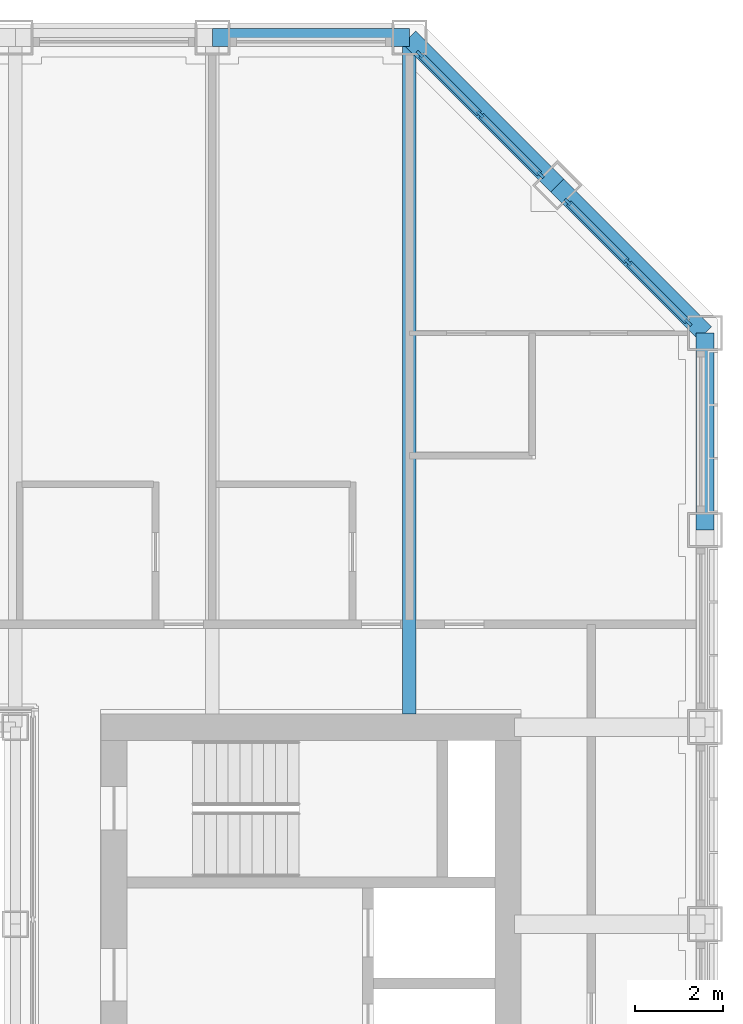
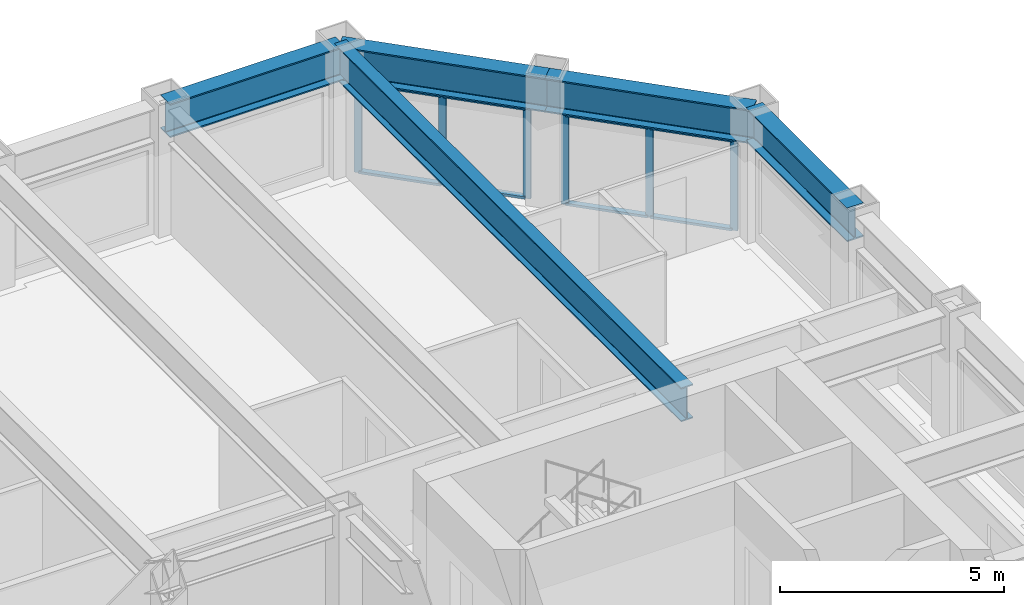
# One storey, part 8 of 17: 14 members, 5 beams, 2 elements without a shape of their own.
"""IFC4 building model written with IfcOpenShell, lengths in metres."""

from ifc_helpers import new_model, si_unit, direction, frame, origin, origin_2d, place, context, subcontext, project, spatial, rectangle, i_section, extrude, material, material_profile, profile_set, type_object, element, aggregate, save


model = new_model("IFC4")

# Units and contexts
model_context = context("Model", 3, precision=1e-05, world=origin(), true_north=direction((0.0, 1.0)))
body_context = subcontext(model_context, "Body", "Model", "MODEL_VIEW")
ifc_project = project(units=[si_unit("LENGTHUNIT", "METRE"), si_unit("AREAUNIT", "SQUARE_METRE"), si_unit("VOLUMEUNIT", "CUBIC_METRE"), si_unit("PLANEANGLEUNIT", "RADIAN"), si_unit("MASSUNIT", "GRAM", prefix="KILO")], contexts=[model_context])

# Site, building, storey
site_placement = place(None, origin())
site = spatial("IfcSite", under=ifc_project, at=site_placement, CompositionType="ELEMENT")
building_placement = place(site_placement, origin())
building = spatial("IfcBuilding", under=site, at=building_placement, Name="Msasa Ring Tower", CompositionType="ELEMENT")
storey_placement = place(building_placement, frame((0.0, 0.0, 176.0)))
storey = spatial("IfcBuildingStorey", under=building, at=storey_placement, Name="L46", CompositionType="ELEMENT", Elevation=176.0)

# Curtain wall, members
ifc_material_1 = material(Name="Aluminium curtain wall with clear glass", Category="aluminium")
curtain_wall_type = type_object("IfcCurtainWallType", Name="CW-C CHAMFER CORNER CURTAIN WALL", PredefinedType="NOTDEFINED", material=ifc_material_1)
curtain_wall_1_placement = place(storey_placement, origin())
curtain_wall_1 = element("IfcCurtainWall", 1, at=curtain_wall_1_placement, inside=storey, type_object=curtain_wall_type, Name="Chamfer corner curtain wall NE L46", PredefinedType="NOTDEFINED")
ifc_material_2 = material(Name="Aluminium mullion", Category="aluminium")
ifc_material_profile_1 = material_profile(ifc_material_2, rectangle(XDim=0.06494140625, YDim=0.179931640625, at=origin_2d()), Name="AL 65x180")
ifc_profile_set_1 = profile_set([ifc_material_profile_1], Name="Aluminium mullion")
member_type_1 = type_object("IfcMemberType", Name="CW-C MULLION 65x180", PredefinedType="MULLION", material=ifc_profile_set_1)
member_1_placement = place(storey_placement, frame((18.744873046875, 19.36376953125, 0.0), z_axis=(0.0, 0.0, 1.0), x_axis=(-0.707106781187, -0.707106781187, 0.0)))
member_1 = element("IfcMember", 2, at=member_1_placement, type_object=member_type_1, Name="CW-C mullion 1", PredefinedType="MULLION", context=body_context, shape_type="SweptSolid", body=[
    extrude(rectangle(XDim=0.06494140625, YDim=0.179931640625, at=origin_2d()), origin(), (0.0, 0.0, 1.0), 2.47900390625),
])
member_2_placement = place(storey_placement, frame((17.36669921875, 20.74169921875, 0.0), z_axis=(0.0, 0.0, 1.0), x_axis=(-0.707106781187, -0.707106781187, 0.0)))
member_2 = element("IfcMember", 3, at=member_2_placement, type_object=member_type_1, Name="CW-C mullion 2", PredefinedType="MULLION", context=body_context, shape_type="SweptSolid", body=[
    extrude(rectangle(XDim=0.06494140625, YDim=0.179931640625, at=origin_2d()), origin(), (0.0, 0.0, 1.0), 2.47900390625),
])
member_3_placement = place(storey_placement, frame((15.98876953125, 22.119873046875, 0.0), z_axis=(0.0, 0.0, 1.0), x_axis=(-0.707106781187, -0.707106781187, 0.0)))
member_3 = element("IfcMember", 4, at=member_3_placement, type_object=member_type_1, Name="CW-C mullion 3", PredefinedType="MULLION", context=body_context, shape_type="SweptSolid", body=[
    extrude(rectangle(XDim=0.06494140625, YDim=0.179931640625, at=origin_2d()), origin(), (0.0, 0.0, 1.0), 2.47900390625),
])

curtain_wall_2_placement = place(storey_placement, origin())
curtain_wall_2 = element("IfcCurtainWall", 5, at=curtain_wall_2_placement, inside=storey, type_object=curtain_wall_type, Name="Chamfer corner curtain wall NE L46", PredefinedType="NOTDEFINED")
member_4_placement = place(storey_placement, frame((22.119873046875, 15.98876953125, 0.0), z_axis=(0.0, 0.0, 1.0), x_axis=(-0.707106781187, -0.707106781187, 0.0)))
member_4 = element("IfcMember", 6, at=member_4_placement, type_object=member_type_1, Name="CW-C mullion 1", PredefinedType="MULLION", context=body_context, shape_type="SweptSolid", body=[
    extrude(rectangle(XDim=0.06494140625, YDim=0.179931640625, at=origin_2d()), origin(), (0.0, 0.0, 1.0), 2.47900390625),
])
member_5_placement = place(storey_placement, frame((20.74169921875, 17.36669921875, 0.0), z_axis=(0.0, 0.0, 1.0), x_axis=(-0.707106781187, -0.707106781187, 0.0)))
member_5 = element("IfcMember", 7, at=member_5_placement, type_object=member_type_1, Name="CW-C mullion 2", PredefinedType="MULLION", context=body_context, shape_type="SweptSolid", body=[
    extrude(rectangle(XDim=0.06494140625, YDim=0.179931640625, at=origin_2d()), origin(), (0.0, 0.0, 1.0), 2.47900390625),
])
member_6_placement = place(storey_placement, frame((19.36376953125, 18.744873046875, 0.0), z_axis=(0.0, 0.0, 1.0), x_axis=(-0.707106781187, -0.707106781187, 0.0)))
member_6 = element("IfcMember", 8, at=member_6_placement, type_object=member_type_1, Name="CW-C mullion 3", PredefinedType="MULLION", context=body_context, shape_type="SweptSolid", body=[
    extrude(rectangle(XDim=0.06494140625, YDim=0.179931640625, at=origin_2d()), origin(), (0.0, 0.0, 1.0), 2.47900390625),
])

# Member
ifc_material_3 = material(Name="Aluminium transom", Category="aluminium")
ifc_material_profile_2 = material_profile(ifc_material_3, rectangle(XDim=0.139892578125, YDim=0.06494140625, at=origin_2d()), Name="AL 65x140")
ifc_profile_set_2 = profile_set([ifc_material_profile_2], Name="Aluminium transom")
member_type_2 = type_object("IfcMemberType", Name="CW-C TRANSOM 65x140", PredefinedType="USERDEFINED", material=ifc_profile_set_2)
member_7_placement = place(storey_placement, frame((18.721923828125, 19.38671875, 0.032470703125), z_axis=(-0.707106781187, 0.707106781187, 0.0), x_axis=(-0.707106781187, -0.707106781187, 0.0)))
member_7 = element("IfcMember", 9, at=member_7_placement, type_object=member_type_2, Name="CW-C transom 1.1", ObjectType="TRANSOM", PredefinedType="USERDEFINED", context=body_context, shape_type="SweptSolid", body=[
    extrude(rectangle(XDim=0.139892578125, YDim=0.06494140625, at=origin_2d()), origin(), (0.0, 0.0, 1.0), 1.8837890625),
])

member_8_placement = place(storey_placement, frame((18.721923828125, 19.38671875, 2.446533203125), z_axis=(-0.707106781187, 0.707106781187, 0.0), x_axis=(-0.707106781187, -0.707106781187, 0.0)))
member_8 = element("IfcMember", 10, at=member_8_placement, type_object=member_type_2, Name="CW-C transom 1.2", ObjectType="TRANSOM", PredefinedType="USERDEFINED", context=body_context, shape_type="SweptSolid", body=[
    extrude(rectangle(XDim=0.139892578125, YDim=0.06494140625, at=origin_2d()), origin(), (0.0, 0.0, 1.0), 1.8837890625),
])

member_9_placement = place(storey_placement, frame((17.34375, 20.764892578125, 0.032470703125), z_axis=(-0.707106781187, 0.707106781187, 0.0), x_axis=(-0.707106781187, -0.707106781187, 0.0)))
member_9 = element("IfcMember", 11, at=member_9_placement, type_object=member_type_2, Name="CW-C transom 2.1", ObjectType="TRANSOM", PredefinedType="USERDEFINED", context=body_context, shape_type="SweptSolid", body=[
    extrude(rectangle(XDim=0.139892578125, YDim=0.06494140625, at=origin_2d()), origin(), (0.0, 0.0, 1.0), 1.8837890625),
])

member_10_placement = place(storey_placement, frame((17.34375, 20.764892578125, 2.446533203125), z_axis=(-0.707106781187, 0.707106781187, 0.0), x_axis=(-0.707106781187, -0.707106781187, 0.0)))
member_10 = element("IfcMember", 12, at=member_10_placement, type_object=member_type_2, Name="CW-C transom 2.2", ObjectType="TRANSOM", PredefinedType="USERDEFINED", context=body_context, shape_type="SweptSolid", body=[
    extrude(rectangle(XDim=0.139892578125, YDim=0.06494140625, at=origin_2d()), origin(), (0.0, 0.0, 1.0), 1.8837890625),
])

aggregate(curtain_wall_1, [member_1, member_2, member_3, member_7, member_8, member_9, member_10])

member_11_placement = place(storey_placement, frame((22.096923828125, 16.01171875, 0.032470703125), z_axis=(-0.707106781187, 0.707106781187, 0.0), x_axis=(-0.707106781187, -0.707106781187, 0.0)))
member_11 = element("IfcMember", 13, at=member_11_placement, type_object=member_type_2, Name="CW-C transom 1.1", ObjectType="TRANSOM", PredefinedType="USERDEFINED", context=body_context, shape_type="SweptSolid", body=[
    extrude(rectangle(XDim=0.139892578125, YDim=0.06494140625, at=origin_2d()), origin(), (0.0, 0.0, 1.0), 1.8837890625),
])

member_12_placement = place(storey_placement, frame((22.096923828125, 16.01171875, 2.446533203125), z_axis=(-0.707106781187, 0.707106781187, 0.0), x_axis=(-0.707106781187, -0.707106781187, 0.0)))
member_12 = element("IfcMember", 14, at=member_12_placement, type_object=member_type_2, Name="CW-C transom 1.2", ObjectType="TRANSOM", PredefinedType="USERDEFINED", context=body_context, shape_type="SweptSolid", body=[
    extrude(rectangle(XDim=0.139892578125, YDim=0.06494140625, at=origin_2d()), origin(), (0.0, 0.0, 1.0), 1.8837890625),
])

member_13_placement = place(storey_placement, frame((20.71875, 17.389892578125, 0.032470703125), z_axis=(-0.707106781187, 0.707106781187, 0.0), x_axis=(-0.707106781187, -0.707106781187, 0.0)))
member_13 = element("IfcMember", 15, at=member_13_placement, type_object=member_type_2, Name="CW-C transom 2.1", ObjectType="TRANSOM", PredefinedType="USERDEFINED", context=body_context, shape_type="SweptSolid", body=[
    extrude(rectangle(XDim=0.139892578125, YDim=0.06494140625, at=origin_2d()), origin(), (0.0, 0.0, 1.0), 1.8837890625),
])

member_14_placement = place(storey_placement, frame((20.71875, 17.389892578125, 2.446533203125), z_axis=(-0.707106781187, 0.707106781187, 0.0), x_axis=(-0.707106781187, -0.707106781187, 0.0)))
member_14 = element("IfcMember", 16, at=member_14_placement, type_object=member_type_2, Name="CW-C transom 2.2", ObjectType="TRANSOM", PredefinedType="USERDEFINED", context=body_context, shape_type="SweptSolid", body=[
    extrude(rectangle(XDim=0.139892578125, YDim=0.06494140625, at=origin_2d()), origin(), (0.0, 0.0, 1.0), 1.8837890625),
])

aggregate(curtain_wall_2, [member_4, member_5, member_6, member_11, member_12, member_13, member_14])

# Beams
ifc_material_4 = material(Name="Steel S355", Category="steel")
ifc_material_profile_3 = material_profile(ifc_material_4, i_section(OverallWidth=0.3076171875, OverallDepth=0.926513671875, WebThickness=0.01953125, FlangeThickness=0.031982421875, FilletRadius=0.01904296875, at=origin_2d()), Name="UB 914x305x289")
ifc_profile_set_3 = profile_set([ifc_material_profile_3], Name="Steel S355")
beam_type_1 = type_object("IfcBeamType", Name="FB3 UB 914x305x289", PredefinedType="BEAM", material=ifc_profile_set_3)
beam_1_placement = place(storey_placement, frame((15.75, 22.5, 2.936767578125), z_axis=(0.0, -1.0, 0.0), x_axis=(1.0, 0.0, 0.0)))
element("IfcBeam", 17, at=beam_1_placement, inside=storey, type_object=beam_type_1, Name="Floor beam N+15.75 under L47", PredefinedType="BEAM", context=body_context, shape_type="SweptSolid", body=[
    extrude(i_section(OverallWidth=0.3076171875, OverallDepth=0.926513671875, WebThickness=0.01953125, FlangeThickness=0.031982421875, FilletRadius=0.01904296875, at=origin_2d()), origin(), (0.0, 0.0, 1.0), 15.449951171875),
])
ifc_material_5 = material(Name="Steel S355", Category="steel")
ifc_material_profile_4 = material_profile(ifc_material_5, i_section(OverallWidth=0.42041015625, OverallDepth=0.9208984375, WebThickness=0.021484375, FlangeThickness=0.03662109375, FilletRadius=0.024169921875, at=origin_2d()), Name="UB 914x419x388")
ifc_profile_set_4 = profile_set([ifc_material_profile_4], Name="Steel S355")
beam_type_2 = type_object("IfcBeamType", Name="SB1 UB 914x419x388", PredefinedType="SPANDREL", material=ifc_profile_set_4)
beam_2_placement = place(storey_placement, frame((22.5, 11.25, 2.939453125), z_axis=(0.0, 1.0, 0.0), x_axis=(-1.0, 0.0, 0.0)))
element("IfcBeam", 18, at=beam_2_placement, inside=storey, type_object=beam_type_2, Name="Spandrel E+11.25 to E+15.75 under L47", PredefinedType="SPANDREL", context=body_context, shape_type="SweptSolid", body=[
    extrude(i_section(OverallWidth=0.42041015625, OverallDepth=0.9208984375, WebThickness=0.021484375, FlangeThickness=0.03662109375, FilletRadius=0.024169921875, at=origin_2d()), origin(), (0.0, 0.0, 1.0), 4.5),
])
for number, where, z_axis, x_axis, name in (
    (19, (22.5, 15.75, 2.939453125), (-0.707106781187, 0.707106781187, 0.0), (-0.707106781187, -0.707106781187, 0.0), "Spandrel E+15.75 to NE under L47"),
    (20, (19.125, 19.125, 2.939453125), (-0.707106781187, 0.707106781187, 0.0), (-0.707106781187, -0.707106781187, 0.0), "Spandrel NE to N+15.75 under L47"),
):
    element("IfcBeam", number, at=place(storey_placement, frame(where, z_axis=z_axis, x_axis=x_axis)), inside=storey, type_object=beam_type_2, Name=name, PredefinedType="SPANDREL", context=body_context, shape_type="SweptSolid", body=[
        extrude(i_section(OverallWidth=0.42041015625, OverallDepth=0.9208984375, WebThickness=0.021484375, FlangeThickness=0.03662109375, FilletRadius=0.024169921875, at=origin_2d()), origin(), (0.0, 0.0, 1.0), 4.77294921875),
    ])
beam_3_placement = place(storey_placement, frame((15.75, 22.5, 2.939453125), z_axis=(-1.0, 0.0, 0.0), x_axis=(0.0, -1.0, 0.0)))
element("IfcBeam", 21, at=beam_3_placement, inside=storey, type_object=beam_type_2, Name="Spandrel N+15.75 to N+11.25 under L47", PredefinedType="SPANDREL", context=body_context, shape_type="SweptSolid", body=[
    extrude(i_section(OverallWidth=0.42041015625, OverallDepth=0.9208984375, WebThickness=0.021484375, FlangeThickness=0.03662109375, FilletRadius=0.024169921875, at=origin_2d()), origin(), (0.0, 0.0, 1.0), 4.5),
])

save(model, "model.ifc")
